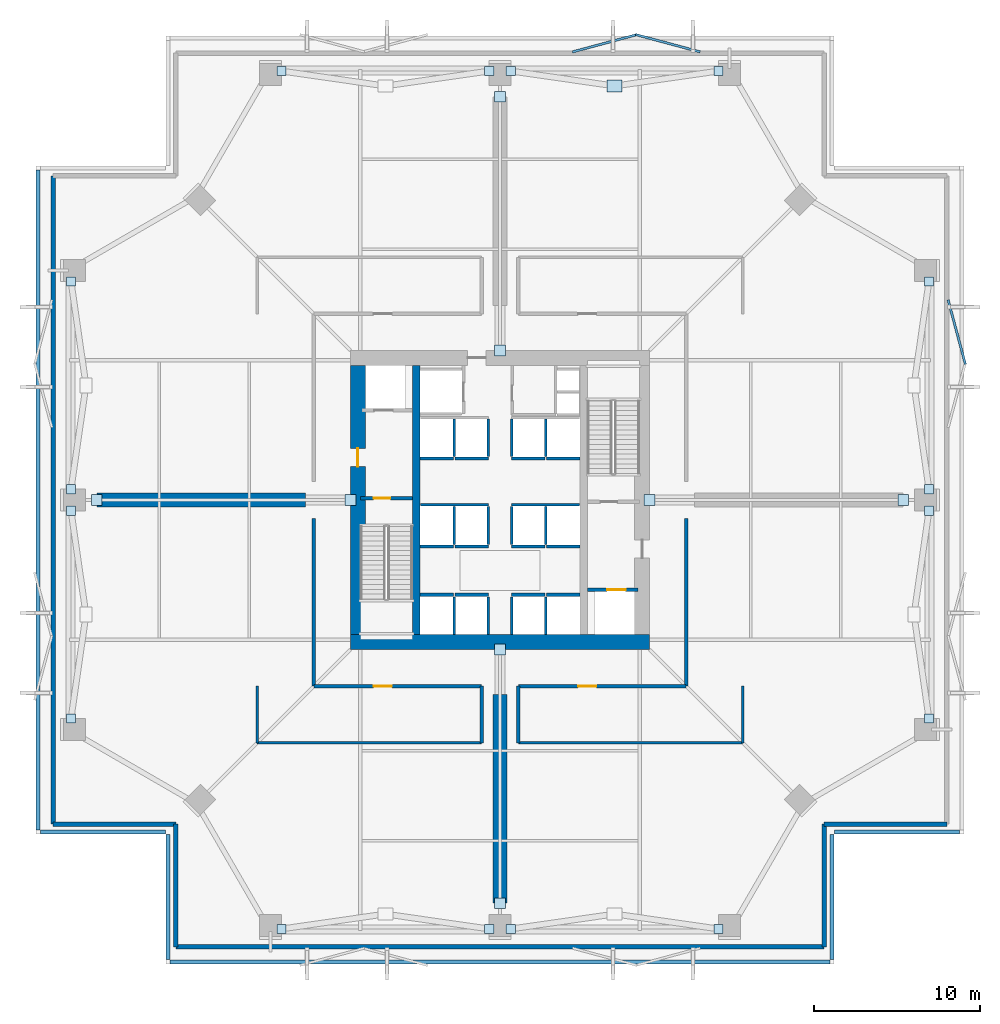
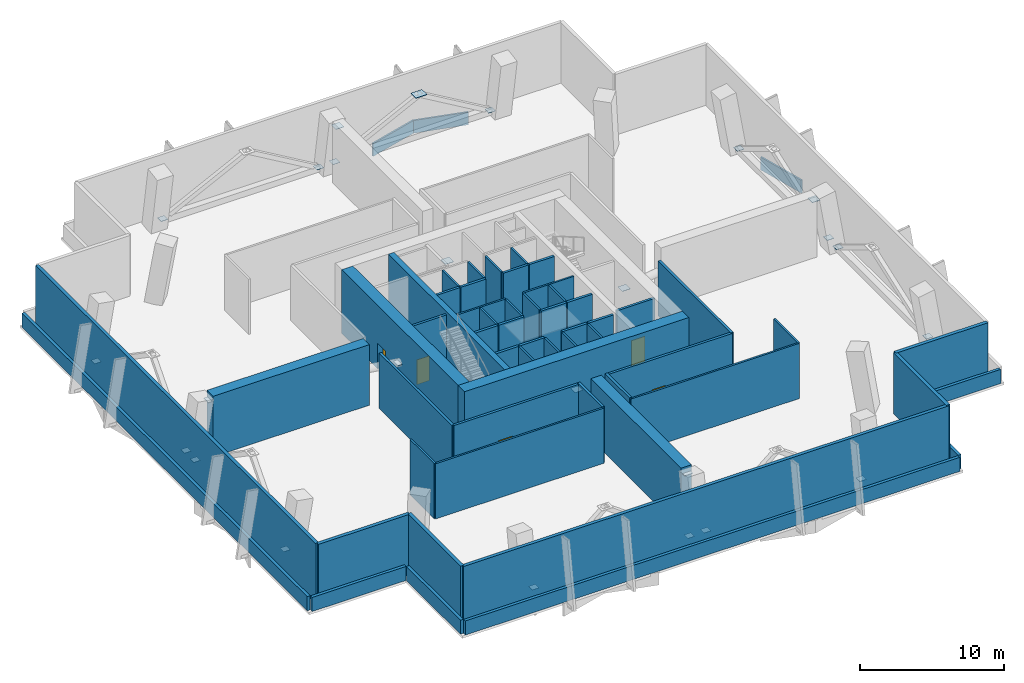
# One storey, part 3 of 6: 55 walls, 28 plates, 5 doors, 5 openings.
"""IFC4 building model written with IfcOpenShell, lengths in metres."""

from ifc_helpers import new_model, si_unit, direction, frame, frame_2d, origin, origin_2d, place, context, subcontext, project, spatial, rectangle, extrude, material, layer, layer_set, type_object, element, fill, save


model = new_model("IFC4")

# Units and contexts
model_context = context("Model", 3, precision=1e-05, world=origin(), true_north=direction((0.0, 1.0)))
body_context = subcontext(model_context, "Body", "Model", "MODEL_VIEW")
ifc_project = project(units=[si_unit("LENGTHUNIT", "METRE"), si_unit("AREAUNIT", "SQUARE_METRE"), si_unit("VOLUMEUNIT", "CUBIC_METRE"), si_unit("PLANEANGLEUNIT", "RADIAN"), si_unit("MASSUNIT", "GRAM", prefix="KILO")], contexts=[model_context])

# Site, building, storey
site_placement = place(None, origin())
site = spatial("IfcSite", under=ifc_project, at=site_placement, CompositionType="ELEMENT")
building_placement = place(site_placement, origin())
building = spatial("IfcBuilding", under=site, at=building_placement, Name="Belovzor Exchange Tower", CompositionType="ELEMENT")
storey_placement = place(building_placement, frame((0.0, 0.0, 108.0)))
storey = spatial("IfcBuildingStorey", under=building, at=storey_placement, Name="L26", CompositionType="ELEMENT", Elevation=108.0)

# Plates
ifc_material_1 = material(Name="Steel S460", Category="steel")
ifc_layer_1 = layer(ifc_material_1, 0.031982421875)
ifc_layer_set_1 = layer_set([ifc_layer_1], Name="Steel S460")
plate_type_1 = type_object("IfcPlateType", Name="Belt Truss Chord Node Gusset Plate 900x700x32", PredefinedType="SHEET", material=ifc_layer_set_1)
plate_placement = place(storey_placement, frame((35.699951171875, 53.699951171875, 4.5341796875), z_axis=(0.0, 0.0, 1.0), x_axis=(1.0, 0.0, 0.0)))
element("IfcPlate", 1, at=plate_placement, inside=storey, type_object=plate_type_1, Name="KN-3 Belt Truss Chord Node Gusset Plate 900x700x32", PredefinedType="SHEET", context=body_context, shape_type="SweptSolid", body=[
    extrude(rectangle(XDim=0.89990234375, YDim=0.699951171875, at=origin_2d()), origin(), (0.0, 0.0, 1.0), 0.031982421875),
])
ifc_material_2 = material(Name="Steel S355", Category="steel")
ifc_layer_2 = layer(ifc_material_2, 0.02490234375)
ifc_layer_set_2 = layer_set([ifc_layer_2], Name="Steel S355")
plate_type_2 = type_object("IfcPlateType", Name="Belt Truss Hollow End Cap Plate 550x550x25", PredefinedType="USERDEFINED", material=ifc_layer_set_2)
for number, where, z_axis, x_axis, name in (
    (2, (15.64990234375, 3.0, 0.4375), (0.0, 0.0, 1.0), (1.0, 0.0, 0.0), "CP-3 Belt Truss Hollow End Cap Plate 550x550x25"),
    (3, (28.14990234375, 3.0, 0.4375), (0.0, 0.0, 1.0), (1.0, 0.0, 0.0), "CP-3 Belt Truss Hollow End Cap Plate 550x550x25"),
    (4, (29.449951171875, 3.0, 0.4375), (0.0, 0.0, 1.0), (1.0, 0.0, 0.0), "CP-3 Belt Truss Hollow End Cap Plate 550x550x25"),
    (5, (41.949951171875, 3.0, 0.4375), (0.0, 0.0, 1.0), (1.0, 0.0, 0.0), "CP-3 Belt Truss Hollow End Cap Plate 550x550x25"),
    (6, (54.60009765625, 15.64990234375, 0.4375), (0.0, 0.0, 1.0), (0.0, 1.0, 0.0), "CP-3 Belt Truss Hollow End Cap Plate 550x550x25"),
    (7, (54.60009765625, 28.14990234375, 0.4375), (0.0, 0.0, 1.0), (0.0, 1.0, 0.0), "CP-3 Belt Truss Hollow End Cap Plate 550x550x25"),
    (8, (54.60009765625, 29.449951171875, 0.4375), (0.0, 0.0, 1.0), (0.0, 1.0, 0.0), "CP-3 Belt Truss Hollow End Cap Plate 550x550x25"),
    (9, (54.60009765625, 41.949951171875, 0.4375), (0.0, 0.0, 1.0), (0.0, 1.0, 0.0), "CP-3 Belt Truss Hollow End Cap Plate 550x550x25"),
    (10, (41.949951171875, 54.60009765625, 0.4375), (0.0, 0.0, 1.0), (1.0, 0.0, 0.0), "CP-3 Belt Truss Hollow End Cap Plate 550x550x25"),
    (11, (29.449951171875, 54.60009765625, 0.4375), (0.0, 0.0, 1.0), (1.0, 0.0, 0.0), "CP-3 Belt Truss Hollow End Cap Plate 550x550x25"),
    (12, (28.14990234375, 54.60009765625, 0.4375), (0.0, 0.0, 1.0), (1.0, 0.0, 0.0), "CP-3 Belt Truss Hollow End Cap Plate 550x550x25"),
    (13, (15.64990234375, 54.60009765625, 0.4375), (0.0, 0.0, 1.0), (1.0, 0.0, 0.0), "CP-3 Belt Truss Hollow End Cap Plate 550x550x25"),
    (14, (3.0, 41.949951171875, 0.4375), (0.0, 0.0, 1.0), (0.0, 1.0, 0.0), "CP-3 Belt Truss Hollow End Cap Plate 550x550x25"),
    (15, (3.0, 29.449951171875, 0.4375), (0.0, 0.0, 1.0), (0.0, 1.0, 0.0), "CP-3 Belt Truss Hollow End Cap Plate 550x550x25"),
    (16, (3.0, 28.14990234375, 0.4375), (0.0, 0.0, 1.0), (0.0, 1.0, 0.0), "CP-3 Belt Truss Hollow End Cap Plate 550x550x25"),
    (17, (3.0, 15.64990234375, 0.4375), (0.0, 0.0, 1.0), (0.0, 1.0, 0.0), "CP-3 Belt Truss Hollow End Cap Plate 550x550x25"),
):
    element("IfcPlate", number, at=place(storey_placement, frame(where, z_axis=z_axis, x_axis=x_axis)), inside=storey, type_object=plate_type_2, Name=name, ObjectType="CAP_PLATE", PredefinedType="USERDEFINED", context=body_context, shape_type="SweptSolid", body=[
        extrude(rectangle(XDim=0.550048828125, YDim=0.550048828125, at=origin_2d()), origin(), (0.0, 0.0, 1.0), 0.02490234375),
    ])
ifc_material_3 = material(Name="Steel S460", Category="steel")
ifc_layer_3 = layer(ifc_material_3, 0.028076171875)
ifc_layer_set_3 = layer_set([ifc_layer_3], Name="Steel S460")
plate_type_3 = type_object("IfcPlateType", Name="Hollow Truss End Cap Plate 650x650x28", PredefinedType="USERDEFINED", material=ifc_layer_set_3)
for number, where, z_axis, x_axis, name in (
    (18, (28.800048828125, 19.800048828125, 2.43603515625), (0.0, 0.0, 1.0), (1.0, 0.0, 0.0), "CP-2 Hollow Truss End Cap Plate 650x650x28"),
    (19, (28.800048828125, 4.550048828125, 4.6357421875), (0.0, 0.0, 1.0), (1.0, 0.0, 0.0), "CP-2 Hollow Truss End Cap Plate 650x650x28"),
    (20, (28.800048828125, 37.800048828125, 2.43603515625), (0.0, 0.0, 1.0), (1.0, 0.0, 0.0), "CP-2 Hollow Truss End Cap Plate 650x650x28"),
    (21, (28.800048828125, 53.050048828125, 4.6357421875), (0.0, 0.0, 1.0), (1.0, 0.0, 0.0), "CP-2 Hollow Truss End Cap Plate 650x650x28"),
    (22, (19.800048828125, 28.800048828125, 2.43603515625), (0.0, 0.0, 1.0), (1.0, 0.0, 0.0), "CP-2 Hollow Truss End Cap Plate 650x650x28"),
    (23, (4.550048828125, 28.800048828125, 4.6357421875), (0.0, 0.0, 1.0), (1.0, 0.0, 0.0), "CP-2 Hollow Truss End Cap Plate 650x650x28"),
    (24, (37.800048828125, 28.800048828125, 2.43603515625), (0.0, 0.0, 1.0), (1.0, 0.0, 0.0), "CP-2 Hollow Truss End Cap Plate 650x650x28"),
    (25, (53.050048828125, 28.800048828125, 4.6357421875), (0.0, 0.0, 1.0), (1.0, 0.0, 0.0), "CP-2 Hollow Truss End Cap Plate 650x650x28"),
):
    element("IfcPlate", number, at=place(storey_placement, frame(where, z_axis=z_axis, x_axis=x_axis)), inside=storey, type_object=plate_type_3, Name=name, ObjectType="CAP_PLATE", PredefinedType="USERDEFINED", context=body_context, shape_type="SweptSolid", body=[
        extrude(rectangle(XDim=0.64990234375, YDim=0.64990234375, at=origin_2d()), origin(), (0.0, 0.0, 1.0), 0.028076171875),
    ])
ifc_material_4 = material(Name="Extruded Architectural Terracotta", Category="masonry")
ifc_layer_4 = layer(ifc_material_4, 0.139892578125)
ifc_layer_set_4 = layer_set([ifc_layer_4], Name="Extruded Architectural Terracotta")
plate_type_4 = type_object("IfcPlateType", Name="Mid-Tower Folded Zigzag Terracotta Spandrel Louvre 120", PredefinedType="USERDEFINED", material=ifc_layer_set_4)
for number, where, z_axis, x_axis, name in (
    (26, (35.10009765625, 56.27001953125, -1.06494140625), (0.0, 0.0, 1.0), (0.965812803231, 0.259240485101, 0.0), "LVR-ZZ2 Zigzag Terracotta Spandrel Louvre L26 N2A"),
    (27, (38.89990234375, 56.27001953125, -1.06494140625), (0.0, 0.0, 1.0), (0.965812803231, -0.259240485101, 0.0), "LVR-ZZ2 Zigzag Terracotta Spandrel Louvre L26 N2B"),
    (28, (56.27001953125, 38.89990234375, -1.06494140625), (0.0, 0.0, 1.0), (-0.259240485101, 0.965812803231, 0.0), "LVR-ZZ2 Zigzag Terracotta Spandrel Louvre L26 E2B"),
):
    element("IfcPlate", number, at=place(storey_placement, frame(where, z_axis=z_axis, x_axis=x_axis)), inside=storey, type_object=plate_type_4, Name=name, ObjectType="SPANDREL_LOUVRE", PredefinedType="USERDEFINED", context=body_context, shape_type="SweptSolid", body=[
        extrude(rectangle(XDim=4.014892578125, YDim=0.139892578125, at=origin_2d()), origin(), (0.0, 0.0, 1.0), 1.080078125),
    ])

# Walls
ifc_material_5 = material(Name="Fire-Rated Gypsum Block and Mineral Wool", Category="gypsum")
ifc_layer_5 = layer(ifc_material_5, 0.14990234375)
ifc_layer_set_5 = layer_set([ifc_layer_5], Name="Fire-Rated Gypsum Block and Mineral Wool")
wall_type_1 = type_object("IfcWallType", Name="Fire-Rated Gypsum Block Corridor Wall 150", PredefinedType="PARTITIONING", material=ifc_layer_set_5)
wall_1_placement = place(storey_placement, frame((14.199951171875, 14.199951171875, 0.0), z_axis=(0.0, 0.0, 1.0), x_axis=(0.0, 1.0, 0.0)))
element("IfcWall", 29, at=wall_1_placement, inside=storey, type_object=wall_type_1, Name="W-P150 Partition Wall W-L26-Q1W", PredefinedType="PARTITIONING", context=body_context, shape_type="SweptSolid", body=[
    extrude(rectangle(XDim=3.400146484375, YDim=0.14990234375, at=frame_2d((1.7001953125, 0.0))), origin(), (0.0, 0.0, 1.0), 4.68505859375),
])
for number, where, z_axis, x_axis, name in (
    (30, (14.199951171875, 14.199951171875, 0.0), (0.0, 0.0, 1.0), (1.0, 0.0, 0.0), "W-P150 Partition Wall W-L26-Q1S"),
    (31, (29.89990234375, 14.199951171875, 0.0), (0.0, 0.0, 1.0), (1.0, 0.0, 0.0), "W-P150 Partition Wall W-L26-Q2S"),
):
    element("IfcWall", number, at=place(storey_placement, frame(where, z_axis=z_axis, x_axis=x_axis)), inside=storey, type_object=wall_type_1, Name=name, PredefinedType="PARTITIONING", context=body_context, shape_type="SweptSolid", body=[
        extrude(rectangle(XDim=13.5, YDim=0.14990234375, at=frame_2d((6.75, 0.0))), origin(), (0.0, 0.0, 1.0), 4.68505859375),
    ])
wall_2_placement = place(storey_placement, frame((43.39990234375, 14.199951171875, 0.0), z_axis=(0.0, 0.0, 1.0), x_axis=(0.0, 1.0, 0.0)))
element("IfcWall", 32, at=wall_2_placement, inside=storey, type_object=wall_type_1, Name="W-P150 Partition Wall W-L26-Q2E", PredefinedType="PARTITIONING", context=body_context, shape_type="SweptSolid", body=[
    extrude(rectangle(XDim=3.400146484375, YDim=0.14990234375, at=frame_2d((1.7001953125, 0.0))), origin(), (0.0, 0.0, 1.0), 4.68505859375),
])
ifc_material_6 = material(Name="Precast concrete C40/50", Category="concrete")
ifc_layer_6 = layer(ifc_material_6, 0.280029296875)
ifc_layer_set_6 = layer_set([ifc_layer_6], Name="Precast concrete C40/50")
wall_type_2 = type_object("IfcWallType", Name="Precast Concrete Notched Corner Frame Wall 280", PredefinedType="SOLIDWALL", material=ifc_layer_set_6)
for number, where, z_axis, x_axis, name in (
    (33, (9.300048828125, 1.929931640625, 0.0), (0.0, 0.0, 1.0), (0.0, 1.0, 0.0), "W-CRN280 Precast Concrete Notched Corner Frame Wall 280 L26"),
    (34, (9.300048828125, 9.300048828125, 0.0), (0.0, 0.0, 1.0), (-1.0, 0.0, 0.0), "W-CRN280 Precast Concrete Notched Corner Frame Wall 280 L26"),
):
    element("IfcWall", number, at=place(storey_placement, frame(where, z_axis=z_axis, x_axis=x_axis)), inside=storey, type_object=wall_type_2, Name=name, PredefinedType="SOLIDWALL", context=body_context, shape_type="SweptSolid", body=[
        extrude(rectangle(XDim=7.3701171875, YDim=0.280029296875, at=frame_2d((3.68505859375, 0.0))), origin(), (0.0, 0.0, 1.0), 5.14990234375),
    ])
wall_3_placement = place(storey_placement, frame((55.669921875, 9.300048828125, 0.0), z_axis=(0.0, 0.0, 1.0), x_axis=(-1.0, 0.0, 0.0)))
element("IfcWall", 35, at=wall_3_placement, inside=storey, type_object=wall_type_2, Name="W-CRN280 Precast Concrete Notched Corner Frame Wall 280 L26", PredefinedType="SOLIDWALL", context=body_context, shape_type="SweptSolid", body=[
    extrude(rectangle(XDim=7.369873046875, YDim=0.280029296875, at=frame_2d((3.68505859375, 0.0))), origin(), (0.0, 0.0, 1.0), 5.14990234375),
])
wall_4_placement = place(storey_placement, frame((48.300048828125, 9.300048828125, 0.0), z_axis=(0.0, 0.0, 1.0), x_axis=(0.0, -1.0, 0.0)))
element("IfcWall", 36, at=wall_4_placement, inside=storey, type_object=wall_type_2, Name="W-CRN280 Precast Concrete Notched Corner Frame Wall 280 L26", PredefinedType="SOLIDWALL", context=body_context, shape_type="SweptSolid", body=[
    extrude(rectangle(XDim=7.3701171875, YDim=0.280029296875, at=frame_2d((3.68505859375, 0.0))), origin(), (0.0, 0.0, 1.0), 5.14990234375),
])
ifc_material_7 = material(Name="Precast concrete C40/50", Category="concrete")
ifc_layer_7 = layer(ifc_material_7, 0.260009765625)
ifc_layer_set_7 = layer_set([ifc_layer_7], Name="Precast concrete C40/50")
wall_type_3 = type_object("IfcWallType", Name="Precast Concrete Perimeter Loggia Frame Wall 260", PredefinedType="SOLIDWALL", material=ifc_layer_set_7)
for number, where, z_axis, x_axis, name in (
    (37, (48.300048828125, 1.929931640625, 0.0), (0.0, 0.0, 1.0), (-1.0, 0.0, 0.0), "W-EXT260 Precast Concrete Perimeter Loggia Frame Wall 260 L26"),
    (38, (1.929931640625, 9.300048828125, 0.0), (0.0, 0.0, 1.0), (0.0, 1.0, 0.0), "W-EXT260 Precast Concrete Perimeter Loggia Frame Wall 260 L26"),
):
    element("IfcWall", number, at=place(storey_placement, frame(where, z_axis=z_axis, x_axis=x_axis)), inside=storey, type_object=wall_type_3, Name=name, PredefinedType="SOLIDWALL", context=body_context, shape_type="SweptSolid", body=[
        extrude(rectangle(XDim=39.0, YDim=0.260009765625, at=frame_2d((19.5, 0.0))), origin(), (0.0, 0.0, 1.0), 5.14990234375),
    ])
ifc_material_8 = material(Name="Precast concrete C40/50", Category="concrete")
ifc_layer_8 = layer(ifc_material_8, 0.239990234375)
ifc_layer_set_8 = layer_set([ifc_layer_8], Name="Precast concrete C40/50")
wall_type_4 = type_object("IfcWallType", Name="Precast Stone Setback Roof Parapet Wall 240", PredefinedType="PARAPET", material=ifc_layer_set_8)
wall_5_placement = place(storey_placement, frame((8.955078125, 1.02001953125, 0.0), z_axis=(0.0, 0.0, 1.0), x_axis=(1.0, 0.0, 0.0)))
element("IfcWall", 39, at=wall_5_placement, inside=storey, type_object=wall_type_4, Name="W-PAR240 Precast Stone Setback Roof Parapet Wall 240 L26", PredefinedType="PARAPET", context=body_context, shape_type="SweptSolid", body=[
    extrude(rectangle(XDim=39.68994140625, YDim=0.239990234375, at=frame_2d((19.844970703125, 0.0))), origin(), (0.0, 0.0, 1.0), 1.199951171875),
])
for number, where, z_axis, x_axis, name in (
    (40, (48.780029296875, 1.155029296875, 0.0), (0.0, 0.0, 1.0), (0.0, 1.0, 0.0), "W-PAR240 Precast Stone Setback Roof Parapet Wall 240 L26"),
    (41, (48.9150390625, 8.820068359375, 0.0), (0.0, 0.0, 1.0), (1.0, 0.0, 0.0), "W-PAR240 Precast Stone Setback Roof Parapet Wall 240 L26"),
):
    element("IfcWall", number, at=place(storey_placement, frame(where, z_axis=z_axis, x_axis=x_axis)), inside=storey, type_object=wall_type_4, Name=name, PredefinedType="PARAPET", context=body_context, shape_type="SweptSolid", body=[
        extrude(rectangle(XDim=7.530029296875, YDim=0.239990234375, at=frame_2d((3.76513671875, 0.0))), origin(), (0.0, 0.0, 1.0), 1.199951171875),
    ])
wall_6_placement = place(storey_placement, frame((1.02001953125, 48.64501953125, 0.0), z_axis=(0.0, 0.0, 1.0), x_axis=(0.0, -1.0, 0.0)))
element("IfcWall", 42, at=wall_6_placement, inside=storey, type_object=wall_type_4, Name="W-PAR240 Precast Stone Setback Roof Parapet Wall 240 L26", PredefinedType="PARAPET", context=body_context, shape_type="SweptSolid", body=[
    extrude(rectangle(XDim=39.68994140625, YDim=0.239990234375, at=frame_2d((19.844970703125, 0.0))), origin(), (0.0, 0.0, 1.0), 1.199951171875),
])
for number, where, z_axis, x_axis, name in (
    (43, (1.155029296875, 8.820068359375, 0.0), (0.0, 0.0, 1.0), (1.0, 0.0, 0.0), "W-PAR240 Precast Stone Setback Roof Parapet Wall 240 L26"),
    (44, (8.820068359375, 8.68505859375, 0.0), (0.0, 0.0, 1.0), (0.0, -1.0, 0.0), "W-PAR240 Precast Stone Setback Roof Parapet Wall 240 L26"),
):
    element("IfcWall", number, at=place(storey_placement, frame(where, z_axis=z_axis, x_axis=x_axis)), inside=storey, type_object=wall_type_4, Name=name, PredefinedType="PARAPET", context=body_context, shape_type="SweptSolid", body=[
        extrude(rectangle(XDim=7.530029296875, YDim=0.239990234375, at=frame_2d((3.76513671875, 0.0))), origin(), (0.0, 0.0, 1.0), 1.199951171875),
    ])

# Wall, opening, door
ifc_material_9 = material(Name="Concrete C40/50", Category="concrete")
ifc_layer_9 = layer(ifc_material_9, 0.199951171875)
ifc_layer_set_9 = layer_set([ifc_layer_9], Name="Concrete C40/50")
wall_type_5 = type_object("IfcWallType", Name="Reinforced Concrete Compartment Wall 200", PredefinedType="PARTITIONING", material=ifc_layer_set_9)
wall_7_placement = place(storey_placement, frame((17.60009765625, 17.60009765625, 0.0), z_axis=(0.0, 0.0, 1.0), x_axis=(1.0, 0.0, 0.0)))
wall_7 = element("IfcWall", 45, at=wall_7_placement, inside=storey, type_object=wall_type_5, Name="W-C200 Partition Wall W-L26-PCS", PredefinedType="PARTITIONING", context=body_context, shape_type="SweptSolid", body=[
    extrude(rectangle(XDim=10.099853515625, YDim=0.199951171875, at=frame_2d((5.0498046875, 0.0))), origin(), (0.0, 0.0, 1.0), 4.68505859375),
])
opening_1_placement = place(wall_7_placement, frame((3.60009765625, 0.0, 0.0)))
opening_1 = element("IfcOpeningElement", 46, at=opening_1_placement, cuts=wall_7, Name="Opening D-FD90-110", PredefinedType="OPENING", context=body_context, shape_type="SweptSolid", body=[
    extrude(rectangle(XDim=1.10009765625, YDim=2.14990234375, at=frame_2d((0.550048828125, 1.074951171875))), frame((0.0, 0.10986328125, 0.0), z_axis=(0.0, -1.0, 0.0), x_axis=(1.0, 0.0, 0.0)), (0.0, 0.0, 1.0), 0.219970703125),
])
ifc_material_10 = material(Name="Fire-Rated Galvanised Steel Leaf", Category="steel")
door_type_1 = type_object("IfcDoorType", Name="Protected Escape Vestibule Fire Door 1100x2150", OperationType="NOTDEFINED", PredefinedType="DOOR", material=ifc_material_10)
door_1_placement = place(opening_1_placement, origin())
door_1 = element("IfcDoor", 47, at=door_1_placement, inside=storey, type_object=door_type_1, Name="D-FD90-110 Protected Escape Vestibule Fire Door 1100x2150", OperationType="SINGLE_SWING_LEFT", OverallHeight=2.14990234375, OverallWidth=1.10009765625, PredefinedType="DOOR", context=body_context, shape_type="SweptSolid", body=[
    extrude(rectangle(XDim=1.10009765625, YDim=2.14990234375, at=frame_2d((0.550048828125, 1.074951171875))), frame((0.0, 0.02490234375, 0.0), z_axis=(0.0, -1.0, 0.0), x_axis=(1.0, 0.0, 0.0)), (0.0, 0.0, 1.0), 0.050048828125),
])
fill(opening_1, door_1)

wall_8_placement = place(storey_placement, frame((29.89990234375, 17.60009765625, 0.0), z_axis=(0.0, 0.0, 1.0), x_axis=(1.0, 0.0, 0.0)))
wall_8 = element("IfcWall", 48, at=wall_8_placement, inside=storey, type_object=wall_type_5, Name="W-C200 Partition Wall W-L26-PCS2", PredefinedType="PARTITIONING", context=body_context, shape_type="SweptSolid", body=[
    extrude(rectangle(XDim=10.10009765625, YDim=0.199951171875, at=frame_2d((5.050048828125, 0.0))), origin(), (0.0, 0.0, 1.0), 4.68505859375),
])
opening_2_placement = place(wall_8_placement, frame((3.60009765625, 0.0, 0.0)))
opening_2 = element("IfcOpeningElement", 49, at=opening_2_placement, cuts=wall_8, Name="Opening D-FD90-110", PredefinedType="OPENING", context=body_context, shape_type="SweptSolid", body=[
    extrude(rectangle(XDim=1.10009765625, YDim=2.14990234375, at=frame_2d((0.550048828125, 1.074951171875))), frame((0.0, 0.10986328125, 0.0), z_axis=(0.0, -1.0, 0.0), x_axis=(1.0, 0.0, 0.0)), (0.0, 0.0, 1.0), 0.219970703125),
])
door_2_placement = place(opening_2_placement, origin())
door_2 = element("IfcDoor", 50, at=door_2_placement, inside=storey, type_object=door_type_1, Name="D-FD90-110 Protected Escape Vestibule Fire Door 1100x2150", OperationType="SINGLE_SWING_RIGHT", OverallHeight=2.14990234375, OverallWidth=1.10009765625, PredefinedType="DOOR", context=body_context, shape_type="SweptSolid", body=[
    extrude(rectangle(XDim=1.10009765625, YDim=2.14990234375, at=frame_2d((0.550048828125, 1.074951171875))), frame((0.0, 0.02490234375, 0.0), z_axis=(0.0, -1.0, 0.0), x_axis=(1.0, 0.0, 0.0)), (0.0, 0.0, 1.0), 0.050048828125),
])
fill(opening_2, door_2)

# Walls
for number, where, z_axis, x_axis, name in (
    (51, (17.60009765625, 17.60009765625, 0.0), (0.0, 0.0, 1.0), (0.0, 1.0, 0.0), "W-C200 Partition Wall W-L26-PCW1"),
    (52, (40.0, 17.60009765625, 0.0), (0.0, 0.0, 1.0), (0.0, 1.0, 0.0), "W-C200 Partition Wall W-L26-PCE1"),
):
    element("IfcWall", number, at=place(storey_placement, frame(where, z_axis=z_axis, x_axis=x_axis)), inside=storey, type_object=wall_type_5, Name=name, PredefinedType="PARTITIONING", context=body_context, shape_type="SweptSolid", body=[
        extrude(rectangle(XDim=10.099853515625, YDim=0.199951171875, at=frame_2d((5.0498046875, 0.0))), origin(), (0.0, 0.0, 1.0), 4.68505859375),
    ])
for number, where, z_axis, x_axis, name in (
    (53, (27.699951171875, 14.199951171875, 0.0), (0.0, 0.0, 1.0), (0.0, 1.0, 0.0), "W-C200 Partition Wall W-L26-Q1E"),
    (54, (29.89990234375, 14.199951171875, 0.0), (0.0, 0.0, 1.0), (0.0, 1.0, 0.0), "W-C200 Partition Wall W-L26-Q2W"),
):
    element("IfcWall", number, at=place(storey_placement, frame(where, z_axis=z_axis, x_axis=x_axis)), inside=storey, type_object=wall_type_5, Name=name, PredefinedType="PARTITIONING", context=body_context, shape_type="SweptSolid", body=[
        extrude(rectangle(XDim=3.400146484375, YDim=0.199951171875, at=frame_2d((1.7001953125, 0.0))), origin(), (0.0, 0.0, 1.0), 4.77490234375),
    ])
ifc_material_11 = material(Name="Concrete C50/60", Category="concrete")
ifc_layer_10 = layer(ifc_material_11, 0.449951171875)
ifc_layer_set_10 = layer_set([ifc_layer_10], Name="Concrete C50/60")
wall_type_6 = type_object("IfcWallType", Name="Reinforced Concrete Core Internal Web Wall 450", PredefinedType="SHEAR", material=ifc_layer_set_10)
wall_9_placement = place(storey_placement, frame((23.77490234375, 20.699951171875, 0.0), z_axis=(0.0, 0.0, 1.0), x_axis=(0.0, 1.0, 0.0)))
element("IfcWall", 55, at=wall_9_placement, inside=storey, type_object=wall_type_6, Name="CW-W045 Core Internal Web Wall L26 WL", PredefinedType="SHEAR", context=body_context, shape_type="SweptSolid", body=[
    extrude(rectangle(XDim=16.199951171875, YDim=0.449951171875, at=frame_2d((8.10009765625, 0.0))), origin(), (0.0, 0.0, 1.0), 5.39990234375),
])
ifc_material_12 = material(Name="Concrete C50/60", Category="concrete")
ifc_layer_11 = layer(ifc_material_12, 0.14990234375)
ifc_layer_set_11 = layer_set([ifc_layer_11], Name="Concrete C50/60")
wall_type_7 = type_object("IfcWallType", Name="Reinforced Concrete Core Riser Shear Wall 150", PredefinedType="SHEAR", material=ifc_layer_set_11)
for number, where, z_axis, x_axis, name in (
    (56, (26.050048828125, 20.719970703125, 0.0), (0.0, 0.0, 1.0), (0.0, 1.0, 0.0), "W-C150S Core Shaft Wall W-SHD-L26-PLL-1"),
    (57, (28.10009765625, 20.719970703125, 0.0), (0.0, 0.0, 1.0), (0.0, 1.0, 0.0), "W-C150S Core Shaft Wall W-SHD-L26-PLL-2"),
    (58, (29.5, 20.719970703125, 0.0), (0.0, 0.0, 1.0), (0.0, 1.0, 0.0), "W-C150S Core Shaft Wall W-SHD-L26-PLL-3"),
    (59, (31.550048828125, 20.719970703125, 0.0), (0.0, 0.0, 1.0), (0.0, 1.0, 0.0), "W-C150S Core Shaft Wall W-SHD-L26-PLL-4"),
):
    element("IfcWall", number, at=place(storey_placement, frame(where, z_axis=z_axis, x_axis=x_axis)), inside=storey, type_object=wall_type_7, Name=name, PredefinedType="SHEAR", context=body_context, shape_type="SweptSolid", body=[
        extrude(rectangle(XDim=2.260009765625, YDim=0.14990234375, at=frame_2d((1.1298828125, 0.0))), origin(), (0.0, 0.0, 1.0), 5.14990234375),
    ])
for number, where, z_axis, x_axis, name in (
    (60, (24.02001953125, 28.5, 0.0), (0.0, 0.0, 1.0), (1.0, 0.0, 0.0), "W-C150S Core Shaft Wall W-SHB-L26-PLM-NW"),
    (61, (29.5, 28.5, 0.0), (0.0, 0.0, 1.0), (1.0, 0.0, 0.0), "W-C150S Core Shaft Wall W-SHB-L26-PLM-NE"),
):
    element("IfcWall", number, at=place(storey_placement, frame(where, z_axis=z_axis, x_axis=x_axis)), inside=storey, type_object=wall_type_7, Name=name, PredefinedType="SHEAR", context=body_context, shape_type="SweptSolid", body=[
        extrude(rectangle(XDim=4.080078125, YDim=0.14990234375, at=frame_2d((2.0400390625, 0.0))), origin(), (0.0, 0.0, 1.0), 5.14990234375),
    ])
for number, where, z_axis, x_axis, name in (
    (62, (26.050048828125, 26.1201171875, 0.0), (0.0, 0.0, 1.0), (0.0, 1.0, 0.0), "W-C150S Core Shaft Wall W-SHD-L26-PLM-1"),
    (63, (28.10009765625, 26.1201171875, 0.0), (0.0, 0.0, 1.0), (0.0, 1.0, 0.0), "W-C150S Core Shaft Wall W-SHD-L26-PLM-2"),
    (64, (29.5, 26.1201171875, 0.0), (0.0, 0.0, 1.0), (0.0, 1.0, 0.0), "W-C150S Core Shaft Wall W-SHD-L26-PLM-3"),
    (65, (31.550048828125, 26.1201171875, 0.0), (0.0, 0.0, 1.0), (0.0, 1.0, 0.0), "W-C150S Core Shaft Wall W-SHD-L26-PLM-4"),
):
    element("IfcWall", number, at=place(storey_placement, frame(where, z_axis=z_axis, x_axis=x_axis)), inside=storey, type_object=wall_type_7, Name=name, PredefinedType="SHEAR", context=body_context, shape_type="SweptSolid", body=[
        extrude(rectangle(XDim=2.27978515625, YDim=0.14990234375, at=frame_2d((1.139892578125, 0.0))), origin(), (0.0, 0.0, 1.0), 5.14990234375),
    ])
for number, where, z_axis, x_axis, name in (
    (66, (26.050048828125, 31.419921875, 0.0), (0.0, 0.0, 1.0), (0.0, 1.0, 0.0), "W-C150S Core Shaft Wall W-SHD-L26-PLH-1"),
    (67, (28.10009765625, 31.419921875, 0.0), (0.0, 0.0, 1.0), (0.0, 1.0, 0.0), "W-C150S Core Shaft Wall W-SHD-L26-PLH-2"),
    (68, (29.5, 31.419921875, 0.0), (0.0, 0.0, 1.0), (0.0, 1.0, 0.0), "W-C150S Core Shaft Wall W-SHD-L26-PLH-3"),
    (69, (31.550048828125, 31.419921875, 0.0), (0.0, 0.0, 1.0), (0.0, 1.0, 0.0), "W-C150S Core Shaft Wall W-SHD-L26-PLH-4"),
):
    element("IfcWall", number, at=place(storey_placement, frame(where, z_axis=z_axis, x_axis=x_axis)), inside=storey, type_object=wall_type_7, Name=name, PredefinedType="SHEAR", context=body_context, shape_type="SweptSolid", body=[
        extrude(rectangle(XDim=2.239990234375, YDim=0.14990234375, at=frame_2d((1.1201171875, 0.0))), origin(), (0.0, 0.0, 1.0), 5.14990234375),
    ])

# Wall, opening, door
ifc_material_13 = material(Name="Concrete C50/60", Category="concrete")
ifc_layer_12 = layer(ifc_material_13, 0.199951171875)
ifc_layer_set_12 = layer_set([ifc_layer_12], Name="Concrete C50/60")
wall_type_8 = type_object("IfcWallType", Name="Reinforced Concrete Core Shaft Shear Wall 200", PredefinedType="SHEAR", material=ifc_layer_set_12)
wall_10_placement = place(storey_placement, frame((20.39990234375, 28.89990234375, 0.0), z_axis=(0.0, 0.0, 1.0), x_axis=(1.0, 0.0, 0.0)))
wall_10 = element("IfcWall", 70, at=wall_10_placement, inside=storey, type_object=wall_type_8, Name="W-C200S Core Shaft Wall W-CORE-L26-FFLW1", PredefinedType="SHEAR", context=body_context, shape_type="SweptSolid", body=[
    extrude(rectangle(XDim=3.150146484375, YDim=0.199951171875, at=frame_2d((1.5751953125, 0.0))), origin(), (0.0, 0.0, 1.0), 5.14990234375),
])
opening_3_placement = place(wall_10_placement, frame((0.800048828125, 0.0, 0.0)))
opening_3 = element("IfcOpeningElement", 71, at=opening_3_placement, cuts=wall_10, Name="Opening D-FD90-100", PredefinedType="OPENING", context=body_context, shape_type="SweptSolid", body=[
    extrude(rectangle(XDim=1.0, YDim=2.10009765625, at=frame_2d((0.5, 1.050048828125))), frame((0.0, 0.10986328125, 0.0), z_axis=(0.0, -1.0, 0.0), x_axis=(1.0, 0.0, 0.0)), (0.0, 0.0, 1.0), 0.219970703125),
])
ifc_material_14 = material(Name="Fire-Rated Galvanised Steel Leaf", Category="steel")
door_type_2 = type_object("IfcDoorType", Name="Protected Stairwell Single Fire Door 1000x2100", OperationType="NOTDEFINED", PredefinedType="DOOR", material=ifc_material_14)
door_3_placement = place(opening_3_placement, origin())
door_3 = element("IfcDoor", 72, at=door_3_placement, inside=storey, type_object=door_type_2, Name="D-FD90-100 Protected Stairwell Single Fire Door 1000x2100", OperationType="SINGLE_SWING_RIGHT", OverallHeight=2.10009765625, OverallWidth=1.0, PredefinedType="DOOR", context=body_context, shape_type="SweptSolid", body=[
    extrude(rectangle(XDim=1.0, YDim=2.10009765625, at=frame_2d((0.5, 1.050048828125))), frame((0.0, 0.02490234375, 0.0), z_axis=(0.0, -1.0, 0.0), x_axis=(1.0, 0.0, 0.0)), (0.0, 0.0, 1.0), 0.050048828125),
])
fill(opening_3, door_3)

wall_11_placement = place(storey_placement, frame((34.050048828125, 23.39990234375, 0.0), z_axis=(0.0, 0.0, 1.0), x_axis=(1.0, 0.0, 0.0)))
wall_11 = element("IfcWall", 73, at=wall_11_placement, inside=storey, type_object=wall_type_8, Name="W-C200S Core Shaft Wall W-SH-L26-FFL-02", PredefinedType="SHEAR", context=body_context, shape_type="SweptSolid", body=[
    extrude(rectangle(XDim=3.050048828125, YDim=0.199951171875, at=frame_2d((1.52490234375, 0.0))), origin(), (0.0, 0.0, 1.0), 5.14990234375),
])
opening_4_placement = place(wall_11_placement, frame((1.199951171875, 0.0, 0.0)))
opening_4 = element("IfcOpeningElement", 74, at=opening_4_placement, cuts=wall_11, Name="Opening LD-110", PredefinedType="OPENING", context=body_context, shape_type="SweptSolid", body=[
    extrude(rectangle(XDim=1.10009765625, YDim=2.14990234375, at=frame_2d((0.550048828125, 1.074951171875))), frame((0.0, 0.10986328125, 0.0), z_axis=(0.0, -1.0, 0.0), x_axis=(1.0, 0.0, 0.0)), (0.0, 0.0, 1.0), 0.219970703125),
])
ifc_material_15 = material(Name="Stainless Steel Grade 304", Category="steel")
door_type_3 = type_object("IfcDoorType", Name="Automated Stainless Steel Lift Landing Door 1100x2150", OperationType="SLIDING_TO_RIGHT", PredefinedType="DOOR", material=ifc_material_15)
door_4_placement = place(opening_4_placement, origin())
door_4 = element("IfcDoor", 75, at=door_4_placement, inside=storey, type_object=door_type_3, Name="LD-110 Automated Stainless Steel Lift Landing Door 1100x2150", OperationType="SLIDING_TO_RIGHT", OverallHeight=2.14990234375, OverallWidth=1.10009765625, PredefinedType="DOOR", context=body_context, shape_type="SweptSolid", body=[
    extrude(rectangle(XDim=1.10009765625, YDim=2.14990234375, at=frame_2d((0.550048828125, 1.074951171875))), frame((0.0, 0.02490234375, 0.0), z_axis=(0.0, -1.0, 0.0), x_axis=(1.0, 0.0, 0.0)), (0.0, 0.0, 1.0), 0.050048828125),
])
fill(opening_4, door_4)

# Walls
for number, where, z_axis, x_axis, name in (
    (76, (24.0, 23.10009765625, 0.0), (0.0, 0.0, 1.0), (1.0, 0.0, 0.0), "W-C200S Core Shaft Wall W-SH-L26-PL-L1"),
    (77, (26.10009765625, 23.10009765625, 0.0), (0.0, 0.0, 1.0), (1.0, 0.0, 0.0), "W-C200S Core Shaft Wall W-SH-L26-PL-L2"),
    (78, (29.5, 23.10009765625, 0.0), (0.0, 0.0, 1.0), (1.0, 0.0, 0.0), "W-C200S Core Shaft Wall W-SH-L26-PL-L3"),
    (79, (31.60009765625, 23.10009765625, 0.0), (0.0, 0.0, 1.0), (1.0, 0.0, 0.0), "W-C200S Core Shaft Wall W-SH-L26-PL-L4"),
    (80, (24.0, 26.0, 0.0), (0.0, 0.0, 1.0), (1.0, 0.0, 0.0), "W-C200S Core Shaft Wall W-SH-L26-PL-M1"),
    (81, (26.10009765625, 26.0, 0.0), (0.0, 0.0, 1.0), (1.0, 0.0, 0.0), "W-C200S Core Shaft Wall W-SH-L26-PL-M2"),
    (82, (29.5, 26.0, 0.0), (0.0, 0.0, 1.0), (1.0, 0.0, 0.0), "W-C200S Core Shaft Wall W-SH-L26-PL-M3"),
    (83, (31.60009765625, 26.0, 0.0), (0.0, 0.0, 1.0), (1.0, 0.0, 0.0), "W-C200S Core Shaft Wall W-SH-L26-PL-M4"),
    (84, (24.0, 31.300048828125, 0.0), (0.0, 0.0, 1.0), (1.0, 0.0, 0.0), "W-C200S Core Shaft Wall W-SH-L26-PL-H1"),
    (85, (26.10009765625, 31.300048828125, 0.0), (0.0, 0.0, 1.0), (1.0, 0.0, 0.0), "W-C200S Core Shaft Wall W-SH-L26-PL-H2"),
    (86, (29.5, 31.300048828125, 0.0), (0.0, 0.0, 1.0), (1.0, 0.0, 0.0), "W-C200S Core Shaft Wall W-SH-L26-PL-H3"),
    (87, (31.60009765625, 31.300048828125, 0.0), (0.0, 0.0, 1.0), (1.0, 0.0, 0.0), "W-C200S Core Shaft Wall W-SH-L26-PL-H4"),
):
    element("IfcWall", number, at=place(storey_placement, frame(where, z_axis=z_axis, x_axis=x_axis)), inside=storey, type_object=wall_type_8, Name=name, PredefinedType="SHEAR", context=body_context, shape_type="SweptSolid", body=[
        extrude(rectangle(XDim=2.0, YDim=0.199951171875, at=frame_2d((1.0, 0.0))), origin(), (0.0, 0.0, 1.0), 5.14990234375),
    ])
ifc_material_16 = material(Name="Concrete C60/75", Category="concrete")
ifc_layer_13 = layer(ifc_material_16, 0.89990234375)
ifc_layer_set_13 = layer_set([ifc_layer_13], Name="Concrete C60/75")
wall_type_9 = type_object("IfcWallType", Name="Reinforced Concrete Core Shear Wall 900", PredefinedType="SHEAR", material=ifc_layer_set_13)
wall_12_placement = place(storey_placement, frame((19.800048828125, 20.25, 0.0), z_axis=(0.0, 0.0, 1.0), x_axis=(1.0, 0.0, 0.0)))
element("IfcWall", 88, at=wall_12_placement, inside=storey, type_object=wall_type_9, Name="CW-S090 Core Shear Wall L26 S", PredefinedType="SHEAR", context=body_context, shape_type="SweptSolid", body=[
    extrude(rectangle(XDim=18.0, YDim=0.89990234375, at=frame_2d((9.0, 0.0))), origin(), (0.0, 0.0, 1.0), 5.39990234375),
])

# Wall, opening, door
wall_13_placement = place(storey_placement, frame((20.25, 20.699951171875, 0.0), z_axis=(0.0, 0.0, 1.0), x_axis=(0.0, 1.0, 0.0)))
wall_13 = element("IfcWall", 89, at=wall_13_placement, inside=storey, type_object=wall_type_9, Name="CW-S090 Core Shear Wall L26 W", PredefinedType="SHEAR", context=body_context, shape_type="SweptSolid", body=[
    extrude(rectangle(XDim=16.199951171875, YDim=0.89990234375, at=frame_2d((8.10009765625, 0.0))), origin(), (0.0, 0.0, 1.0), 5.39990234375),
])
opening_5_placement = place(wall_13_placement, frame((10.10009765625, 0.0, 0.0)))
opening_5 = element("IfcOpeningElement", 90, at=opening_5_placement, cuts=wall_13, Name="Opening D-FD90-110", PredefinedType="OPENING", context=body_context, shape_type="SweptSolid", body=[
    extrude(rectangle(XDim=1.10009765625, YDim=2.14990234375, at=frame_2d((0.550048828125, 1.074951171875))), frame((0.0, 0.4599609375, 0.0), z_axis=(0.0, -1.0, 0.0), x_axis=(1.0, 0.0, 0.0)), (0.0, 0.0, 1.0), 0.919921875),
])
door_5_placement = place(opening_5_placement, origin())
door_5 = element("IfcDoor", 91, at=door_5_placement, inside=storey, type_object=door_type_1, Name="D-FD90-110 Protected Escape Vestibule Fire Door 1100x2150", OperationType="SINGLE_SWING_LEFT", OverallHeight=2.14990234375, OverallWidth=1.10009765625, PredefinedType="DOOR", context=body_context, shape_type="SweptSolid", body=[
    extrude(rectangle(XDim=1.10009765625, YDim=2.14990234375, at=frame_2d((0.550048828125, 1.074951171875))), frame((0.0, 0.02490234375, 0.0), z_axis=(0.0, -1.0, 0.0), x_axis=(1.0, 0.0, 0.0)), (0.0, 0.0, 1.0), 0.050048828125),
])
fill(opening_5, door_5)

# Walls
ifc_material_17 = material(Name="Concrete C60/75", Category="concrete")
ifc_layer_14 = layer(ifc_material_17, 0.85009765625)
ifc_layer_set_14 = layer_set([ifc_layer_14], Name="Concrete C60/75")
wall_type_10 = type_object("IfcWallType", Name="Reinforced Concrete Outrigger Shear Wall 850", PredefinedType="SHEAR", material=ifc_layer_set_14)
for number, where, z_axis, x_axis, name in (
    (92, (28.800048828125, 17.10009765625, 0.0), (0.0, 0.0, 1.0), (0.0, -1.0, 0.0), "OW-085 Outrigger Shear Wall L26 S"),
    (93, (17.10009765625, 28.800048828125, 0.0), (0.0, 0.0, 1.0), (-1.0, 0.0, 0.0), "OW-085 Outrigger Shear Wall L26 W"),
):
    element("IfcWall", number, at=place(storey_placement, frame(where, z_axis=z_axis, x_axis=x_axis)), inside=storey, type_object=wall_type_10, Name=name, PredefinedType="SHEAR", context=body_context, shape_type="SweptSolid", body=[
        extrude(rectangle(XDim=12.550048828125, YDim=0.85009765625, at=frame_2d((6.27490234375, 0.0))), origin(), (0.0, 0.0, 1.0), 5.14990234375),
    ])

save(model, "model.ifc")
